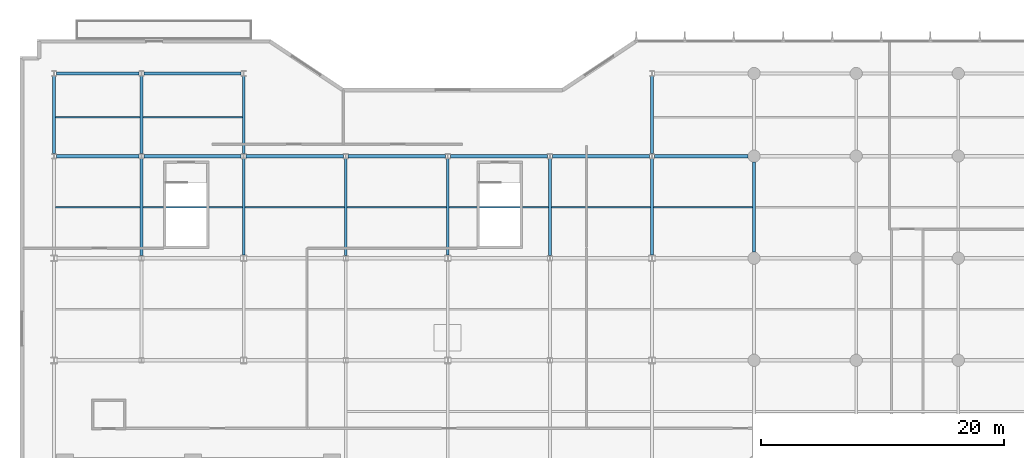
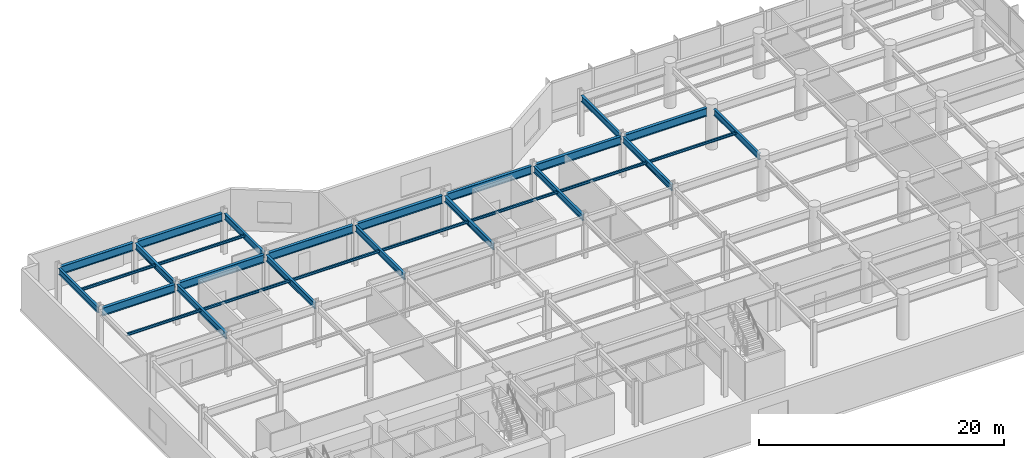
# One storey, part 4 of 23: 29 beams.
"""IFC4 building model written with IfcOpenShell, lengths in metres."""

import ifcopenshell
import ifcopenshell.guid

model = None  # the IFC model being written
_history = None  # IfcOwnerHistory: only IFC2X3 demands one
_inside = {}  # id of a spatial element -> (the spatial element, [elements in it])
_under = {}  # id of a project, library or spatial element -> (it, [spatial elements below it])
_declared = {}  # id of a project -> (the project, [libraries it declares])
_typed = {}  # id of a type object -> (the type object, [elements of that type])
_made_of = {}  # id of a material, layer set ... -> (it, [elements and type objects made of it])


def new_model(schema):
    """Start an empty IFC model of exactly this schema.

    Asked for "IFC4X3", IfcOpenShell would pick the latest addendum, in which some entities
    have other attributes; the version numbers below select the first issue.
    IFC2X3 requires an IfcOwnerHistory on every rooted entity: one is made here for all.
    """
    global model, _history
    if schema == "IFC4X3":
        model = ifcopenshell.file(schema_version=(4, 3, 0, 0))
    else:
        model = ifcopenshell.file(schema=schema)
    _inside.clear()
    _under.clear()
    _declared.clear()
    _typed.clear()
    _made_of.clear()
    _history = None
    if model.schema == "IFC2X3":
        org = make("IfcOrganization", Name="unknown")
        user = make(
            "IfcPersonAndOrganization",
            ThePerson=make("IfcPerson", FamilyName="unknown"),
            TheOrganization=org,
        )
        app = make(
            "IfcApplication",
            ApplicationDeveloper=org,
            Version="unknown",
            ApplicationFullName="unknown",
            ApplicationIdentifier="unknown",
        )
        _history = make(
            "IfcOwnerHistory",
            OwningUser=user,
            OwningApplication=app,
            ChangeAction="ADDED",
            CreationDate=0,
        )
    return model


def make(cls, **values):
    """One entity of the class cls with the attributes given. An attribute that is None is left unset."""
    return model.create_entity(
        cls, **{name: value for name, value in values.items() if value is not None}
    )


def rooted(cls, **values):
    """An entity with a GlobalId (a new one), such as an element, a storey or a relation."""
    return make(cls, GlobalId=ifcopenshell.guid.new(), OwnerHistory=_history, **values)


def si_unit(unit_type, name, prefix=None):
    """IfcSIUnit, for example si_unit("LENGTHUNIT", "METRE", prefix="MILLI")."""
    return make("IfcSIUnit", UnitType=unit_type, Prefix=prefix, Name=name)


def assignment(units):
    """IfcUnitAssignment: the units of a project."""
    return None if units is None else make("IfcUnitAssignment", Units=units)


def point(xyz):
    """IfcCartesianPoint."""
    return None if xyz is None else make("IfcCartesianPoint", Coordinates=xyz)


def direction(xyz):
    """IfcDirection."""
    return None if xyz is None else make("IfcDirection", DirectionRatios=xyz)


def frame(location, z_axis=None, x_axis=None):
    """IfcAxis2Placement3D, a coordinate frame: its origin and axes. An axis left out is left unset."""
    return make(
        "IfcAxis2Placement3D",
        Location=point(location),
        Axis=direction(z_axis),
        RefDirection=direction(x_axis),
    )


def frame_2d(location, x_axis=None):
    """IfcAxis2Placement2D, a coordinate frame in the plane: its origin and x axis."""
    return make(
        "IfcAxis2Placement2D", Location=point(location), RefDirection=direction(x_axis)
    )


def origin():
    """The frame at (0, 0, 0) with its axes left unset."""
    return frame((0.0, 0.0, 0.0))


def origin_2d():
    """The frame at (0, 0) in the plane with its x axis left unset."""
    return frame_2d((0.0, 0.0))


def place(relative_to, where):
    """IfcLocalPlacement: puts the frame where relative to a parent placement (None: the world)."""
    return make(
        "IfcLocalPlacement", PlacementRelTo=relative_to, RelativePlacement=where
    )


def context(
    kind, dimensions, precision=None, world=None, true_north=None, identifier=None
):
    """IfcGeometricRepresentationContext, for example the 3D "Model" context."""
    return make(
        "IfcGeometricRepresentationContext",
        ContextIdentifier=identifier,
        ContextType=kind,
        CoordinateSpaceDimension=dimensions,
        Precision=precision,
        WorldCoordinateSystem=world,
        TrueNorth=true_north,
    )


def subcontext(parent, identifier, kind, view, scale=None):
    """IfcGeometricRepresentationSubContext, for example "Body" below "Model"."""
    return make(
        "IfcGeometricRepresentationSubContext",
        ContextIdentifier=identifier,
        ContextType=kind,
        ParentContext=parent,
        TargetScale=scale,
        TargetView=view,
    )


def project(units=None, contexts=None):
    """IfcProject with its units and contexts."""
    return rooted(
        "IfcProject",
        Name="project",
        RepresentationContexts=contexts,
        UnitsInContext=assignment(units),
    )


def spatial(cls, under=None, at=None, **own):
    """A site, building, storey or space (cls), placed at a placement, below another one or the project."""
    s = rooted(cls, ObjectPlacement=at, **own)
    if under is not None:
        _under.setdefault(under.id(), (under, []))[1].append(s)
    return s


def profile(cls, at=None, kind="AREA", **sizes):
    """A parametric profile (cls). Its sizes go by their IFC names, for example OverallWidth=200.0."""
    return make(cls, ProfileType=kind, Position=at, **sizes)


def i_section(**sizes):
    """IfcIShapeProfileDef."""
    return profile("IfcIShapeProfileDef", **sizes)


def extrude(swept, where, along, depth):
    """IfcExtrudedAreaSolid: the profile swept, set in the frame where, extruded along a direction by depth."""
    return make(
        "IfcExtrudedAreaSolid",
        SweptArea=swept,
        Position=where,
        ExtrudedDirection=direction(along),
        Depth=depth,
    )


def shape(context_of_items, identifier, shape_type, items):
    """IfcShapeRepresentation: the items that make up one representation, for example the "Body"."""
    return make(
        "IfcShapeRepresentation",
        ContextOfItems=context_of_items,
        RepresentationIdentifier=identifier,
        RepresentationType=shape_type,
        Items=items,
    )


def material(Name=None, Category=None):
    """IfcMaterial."""
    return make("IfcMaterial", Name=Name, Category=Category)


def material_profile(
    of_material, cross_section, Name=None, Category=None, Priority=None
):
    """IfcMaterialProfile: a cross section and its material."""
    return make(
        "IfcMaterialProfile",
        Name=Name,
        Material=of_material,
        Profile=cross_section,
        Priority=Priority,
        Category=Category,
    )


def profile_set(profiles, Name=None, composite=None):
    """IfcMaterialProfileSet."""
    return make(
        "IfcMaterialProfileSet",
        Name=Name,
        MaterialProfiles=profiles,
        CompositeProfile=composite,
    )


def made_of(thing, what):
    """Note that an element or type object is made of a material, layer set ...; save() writes the relation."""
    if what is not None:
        _made_of.setdefault(what.id(), (what, []))[1].append(thing)
    return thing


def type_object(cls, material=None, **own):
    """A type object (cls), such as IfcWallType, which elements share."""
    return made_of(rooted(cls, **own), material)


def element(
    cls,
    number,
    at=None,
    inside=None,
    cuts=None,
    type_object=None,
    material=None,
    context=None,
    identifier="Body",
    shape_type=None,
    held_by="IfcProductDefinitionShape",
    body=None,
    shapes=None,
    **own,
):
    """One element of the class cls, such as IfcWall. Its Tag is "e" and its number.

    at: its placement. inside: the storey or other place that contains it. cuts: it is an
    opening in that element (IfcRelVoidsElement). A single representation is given by context,
    identifier, shape_type and body (its items); several are given by shapes. held_by: the class
    of the entity that holds the representations. save() writes the other relations.
    """
    e = rooted(cls, Tag="e%d" % number, ObjectPlacement=at, **own)
    if body is not None:
        shapes = [shape(context, identifier, shape_type, body)]
    if shapes is not None:
        e.Representation = make(held_by, Representations=shapes)
    if inside is not None:
        _inside.setdefault(inside.id(), (inside, []))[1].append(e)
    if cuts is not None:
        rooted(
            "IfcRelVoidsElement", RelatingBuildingElement=cuts, RelatedOpeningElement=e
        )
    if type_object is not None:
        _typed.setdefault(type_object.id(), (type_object, []))[1].append(e)
    return made_of(e, material)


def aggregate(whole, parts):
    """IfcRelAggregates: a whole, such as a stair, and the parts it consists of."""
    return rooted("IfcRelAggregates", RelatingObject=whole, RelatedObjects=parts)


def save(model, path):
    """Write the relations noted so far, then the file.

    IfcRelAggregates (storeys below a building ...), IfcRelContainedInSpatialStructure (elements
    in a storey), IfcRelDefinesByType, IfcRelAssociatesMaterial and IfcRelDeclares: one each for
    every whole, place, type object, material and project.
    """
    for whole, parts in _under.values():
        aggregate(whole, parts)
    for where, things in _inside.values():
        rooted(
            "IfcRelContainedInSpatialStructure",
            RelatedElements=things,
            RelatingStructure=where,
        )
    for kind, things in _typed.values():
        rooted("IfcRelDefinesByType", RelatedObjects=things, RelatingType=kind)
    for what, things in _made_of.values():
        rooted("IfcRelAssociatesMaterial", RelatedObjects=things, RelatingMaterial=what)
    for by, libraries in _declared.values():
        rooted("IfcRelDeclares", RelatingContext=by, RelatedDefinitions=libraries)
    model.write(path)


model = new_model("IFC4")

# Units and contexts
model_context = context("Model", 3, precision=1e-05, world=origin(), true_north=direction((0.0, 1.0)))
body_context = subcontext(model_context, "Body", "Model", "MODEL_VIEW")
ifc_project = project(units=[si_unit("LENGTHUNIT", "METRE"), si_unit("AREAUNIT", "SQUARE_METRE"), si_unit("VOLUMEUNIT", "CUBIC_METRE"), si_unit("PLANEANGLEUNIT", "RADIAN"), si_unit("MASSUNIT", "GRAM", prefix="KILO")], contexts=[model_context])

# Site, building, storey
site_placement = place(None, origin())
site = spatial("IfcSite", under=ifc_project, at=site_placement, CompositionType="ELEMENT")
building_placement = place(site_placement, origin())
building = spatial("IfcBuilding", under=site, at=building_placement, Name="Varnakote Quay Hospital", CompositionType="ELEMENT")
storey_placement = place(building_placement, frame((0.0, 0.0, 18.0)))
storey = spatial("IfcBuildingStorey", under=building, at=storey_placement, Name="L04", CompositionType="ELEMENT", Elevation=18.0)

# Beams
ifc_material_1 = material(Name="Structural steel AS/NZS 3679.1 Grade 350 L0 (fy 340 MPa)", Category="steel")
ifc_material_profile_1 = material_profile(ifc_material_1, i_section(OverallWidth=0.22802734375, OverallDepth=0.60205078125, WebThickness=0.010498046875, FlangeThickness=0.014892578125, FilletRadius=0.013916015625, at=origin_2d()), Name="610UB101")
ifc_profile_set_1 = profile_set([ifc_material_profile_1], Name="Structural steel AS/NZS 3679.1 Grade 350 L0 (fy 340 MPa)")
beam_type_1 = type_object("IfcBeamType", Name="BM-STL-610UB101", PredefinedType="BEAM", material=ifc_profile_set_1)
beam_1_placement = place(storey_placement, frame((1.199951171875, 37.409912109375, 3.779052734375), z_axis=(0.0, 1.0, 0.0), x_axis=(-1.0, 0.0, 0.0)))
element("IfcBeam", 1, at=beam_1_placement, inside=storey, type_object=beam_type_1, Name="L04 Primary Tie Beam", PredefinedType="BEAM", context=body_context, shape_type="SweptSolid", body=[
    extrude(i_section(OverallWidth=0.22802734375, OverallDepth=0.60205078125, WebThickness=0.010498046875, FlangeThickness=0.014892578125, FilletRadius=0.013916015625, at=origin_2d()), origin(), (0.0, 0.0, 1.0), 6.380126953125),
])
beam_2_placement = place(storey_placement, frame((8.39990234375, 29.010009765625, 3.779052734375), z_axis=(0.0, 1.0, 0.0), x_axis=(-1.0, 0.0, 0.0)))
element("IfcBeam", 2, at=beam_2_placement, inside=storey, type_object=beam_type_1, Name="L04 Primary Tie Beam", PredefinedType="BEAM", context=body_context, shape_type="SweptSolid", body=[
    extrude(i_section(OverallWidth=0.22802734375, OverallDepth=0.60205078125, WebThickness=0.010498046875, FlangeThickness=0.014892578125, FilletRadius=0.013916015625, at=origin_2d()), origin(), (0.0, 0.0, 1.0), 7.97998046875),
])
beam_3_placement = place(storey_placement, frame((8.39990234375, 37.409912109375, 3.779052734375), z_axis=(0.0, 1.0, 0.0), x_axis=(-1.0, 0.0, 0.0)))
element("IfcBeam", 3, at=beam_3_placement, inside=storey, type_object=beam_type_1, Name="L04 Primary Tie Beam", PredefinedType="BEAM", context=body_context, shape_type="SweptSolid", body=[
    extrude(i_section(OverallWidth=0.22802734375, OverallDepth=0.60205078125, WebThickness=0.010498046875, FlangeThickness=0.014892578125, FilletRadius=0.013916015625, at=origin_2d()), origin(), (0.0, 0.0, 1.0), 6.380126953125),
])
beam_4_placement = place(storey_placement, frame((16.800048828125, 29.06494140625, 3.779052734375), z_axis=(0.0, 1.0, 0.0), x_axis=(-1.0, 0.0, 0.0)))
element("IfcBeam", 4, at=beam_4_placement, inside=storey, type_object=beam_type_1, Name="L04 Primary Tie Beam", PredefinedType="BEAM", context=body_context, shape_type="SweptSolid", body=[
    extrude(i_section(OverallWidth=0.22802734375, OverallDepth=0.60205078125, WebThickness=0.010498046875, FlangeThickness=0.014892578125, FilletRadius=0.013916015625, at=origin_2d()), origin(), (0.0, 0.0, 1.0), 7.925048828125),
])
beam_5_placement = place(storey_placement, frame((16.800048828125, 37.409912109375, 3.779052734375), z_axis=(0.0, 1.0, 0.0), x_axis=(-1.0, 0.0, 0.0)))
element("IfcBeam", 5, at=beam_5_placement, inside=storey, type_object=beam_type_1, Name="L04 Primary Tie Beam", PredefinedType="BEAM", context=body_context, shape_type="SweptSolid", body=[
    extrude(i_section(OverallWidth=0.22802734375, OverallDepth=0.60205078125, WebThickness=0.010498046875, FlangeThickness=0.014892578125, FilletRadius=0.013916015625, at=origin_2d()), origin(), (0.0, 0.0, 1.0), 6.380126953125),
])
beam_6_placement = place(storey_placement, frame((25.199951171875, 29.010009765625, 3.779052734375), z_axis=(0.0, 1.0, 0.0), x_axis=(-1.0, 0.0, 0.0)))
element("IfcBeam", 6, at=beam_6_placement, inside=storey, type_object=beam_type_1, Name="L04 Primary Tie Beam", PredefinedType="BEAM", context=body_context, shape_type="SweptSolid", body=[
    extrude(i_section(OverallWidth=0.22802734375, OverallDepth=0.60205078125, WebThickness=0.010498046875, FlangeThickness=0.014892578125, FilletRadius=0.013916015625, at=origin_2d()), origin(), (0.0, 0.0, 1.0), 7.97998046875),
])
beam_7_placement = place(storey_placement, frame((33.60009765625, 29.06494140625, 3.779052734375), z_axis=(0.0, 1.0, 0.0), x_axis=(-1.0, 0.0, 0.0)))
element("IfcBeam", 7, at=beam_7_placement, inside=storey, type_object=beam_type_1, Name="L04 Primary Tie Beam", PredefinedType="BEAM", context=body_context, shape_type="SweptSolid", body=[
    extrude(i_section(OverallWidth=0.22802734375, OverallDepth=0.60205078125, WebThickness=0.010498046875, FlangeThickness=0.014892578125, FilletRadius=0.013916015625, at=origin_2d()), origin(), (0.0, 0.0, 1.0), 7.925048828125),
])
beam_8_placement = place(storey_placement, frame((42.0, 29.010009765625, 3.779052734375), z_axis=(0.0, 1.0, 0.0), x_axis=(-1.0, 0.0, 0.0)))
element("IfcBeam", 8, at=beam_8_placement, inside=storey, type_object=beam_type_1, Name="L04 Primary Tie Beam", PredefinedType="BEAM", context=body_context, shape_type="SweptSolid", body=[
    extrude(i_section(OverallWidth=0.22802734375, OverallDepth=0.60205078125, WebThickness=0.010498046875, FlangeThickness=0.014892578125, FilletRadius=0.013916015625, at=origin_2d()), origin(), (0.0, 0.0, 1.0), 7.97998046875),
])
beam_9_placement = place(storey_placement, frame((50.39990234375, 29.06494140625, 3.779052734375), z_axis=(0.0, 1.0, 0.0), x_axis=(-1.0, 0.0, 0.0)))
element("IfcBeam", 9, at=beam_9_placement, inside=storey, type_object=beam_type_1, Name="L04 Primary Tie Beam", PredefinedType="BEAM", context=body_context, shape_type="SweptSolid", body=[
    extrude(i_section(OverallWidth=0.22802734375, OverallDepth=0.60205078125, WebThickness=0.010498046875, FlangeThickness=0.014892578125, FilletRadius=0.013916015625, at=origin_2d()), origin(), (0.0, 0.0, 1.0), 7.925048828125),
])
beam_10_placement = place(storey_placement, frame((50.39990234375, 37.409912109375, 3.779052734375), z_axis=(0.0, 1.0, 0.0), x_axis=(-1.0, 0.0, 0.0)))
element("IfcBeam", 10, at=beam_10_placement, inside=storey, type_object=beam_type_1, Name="L04 Primary Tie Beam", PredefinedType="BEAM", context=body_context, shape_type="SweptSolid", body=[
    extrude(i_section(OverallWidth=0.22802734375, OverallDepth=0.60205078125, WebThickness=0.010498046875, FlangeThickness=0.014892578125, FilletRadius=0.013916015625, at=origin_2d()), origin(), (0.0, 0.0, 1.0), 6.380126953125),
])
beam_11_placement = place(storey_placement, frame((58.800048828125, 29.300048828125, 3.779052734375), z_axis=(0.0, 1.0, 0.0), x_axis=(-1.0, 0.0, 0.0)))
element("IfcBeam", 11, at=beam_11_placement, inside=storey, type_object=beam_type_1, Name="L04 Primary Tie Beam", PredefinedType="BEAM", context=body_context, shape_type="SweptSolid", body=[
    extrude(i_section(OverallWidth=0.22802734375, OverallDepth=0.60205078125, WebThickness=0.010498046875, FlangeThickness=0.014892578125, FilletRadius=0.013916015625, at=origin_2d()), origin(), (0.0, 0.0, 1.0), 7.39990234375),
])
ifc_material_2 = material(Name="Structural steel AS/NZS 3678 Grade 350 (fy 340 MPa)", Category="steel")
ifc_material_profile_2 = material_profile(ifc_material_2, i_section(OverallWidth=0.27490234375, OverallDepth=0.800048828125, WebThickness=0.010009765625, FlangeThickness=0.02001953125, at=origin_2d()), Name="800WB146")
ifc_profile_set_2 = profile_set([ifc_material_profile_2], Name="Structural steel AS/NZS 3678 Grade 350 (fy 340 MPa)")
beam_type_2 = type_object("IfcBeamType", Name="BM-STL-800WB146", PredefinedType="BEAM", material=ifc_profile_set_2)
beam_12_placement = place(storey_placement, frame((1.39990234375, 37.199951171875, 3.679931640625), z_axis=(1.0, 0.0, 0.0), x_axis=(0.0, 1.0, 0.0)))
element("IfcBeam", 12, at=beam_12_placement, inside=storey, type_object=beam_type_2, Name="L04 Plated Composite Transfer Beam", PredefinedType="BEAM", context=body_context, shape_type="SweptSolid", body=[
    extrude(i_section(OverallWidth=0.27490234375, OverallDepth=0.800048828125, WebThickness=0.010009765625, FlangeThickness=0.02001953125, at=origin_2d()), origin(), (0.0, 0.0, 1.0), 6.800048828125),
])
for number, where, z_axis, x_axis, name in (
    (13, (8.60009765625, 37.199951171875, 3.679931640625), (1.0, 0.0, 0.0), (0.0, 1.0, 0.0), "L04 Plated Composite Transfer Beam"),
    (14, (17.0, 37.199951171875, 3.679931640625), (1.0, 0.0, 0.0), (0.0, 1.0, 0.0), "L04 Plated Composite Transfer Beam"),
    (15, (25.39990234375, 37.199951171875, 3.679931640625), (1.0, 0.0, 0.0), (0.0, 1.0, 0.0), "L04 Plated Composite Transfer Beam"),
    (16, (33.800048828125, 37.199951171875, 3.679931640625), (1.0, 0.0, 0.0), (0.0, 1.0, 0.0), "L04 Plated Composite Transfer Beam"),
    (17, (42.199951171875, 37.199951171875, 3.679931640625), (1.0, 0.0, 0.0), (0.0, 1.0, 0.0), "L04 Plated Composite Transfer Beam"),
):
    element("IfcBeam", number, at=place(storey_placement, frame(where, z_axis=z_axis, x_axis=x_axis)), inside=storey, type_object=beam_type_2, Name=name, PredefinedType="BEAM", context=body_context, shape_type="SweptSolid", body=[
        extrude(i_section(OverallWidth=0.27490234375, OverallDepth=0.800048828125, WebThickness=0.010009765625, FlangeThickness=0.02001953125, at=origin_2d()), origin(), (0.0, 0.0, 1.0), 8.0),
    ])
beam_13_placement = place(storey_placement, frame((50.60009765625, 37.199951171875, 3.679931640625), z_axis=(1.0, 0.0, 0.0), x_axis=(0.0, 1.0, 0.0)))
element("IfcBeam", 18, at=beam_13_placement, inside=storey, type_object=beam_type_2, Name="L04 Plated Composite Transfer Beam", PredefinedType="BEAM", context=body_context, shape_type="SweptSolid", body=[
    extrude(i_section(OverallWidth=0.27490234375, OverallDepth=0.800048828125, WebThickness=0.010009765625, FlangeThickness=0.02001953125, at=origin_2d()), origin(), (0.0, 0.0, 1.0), 7.699951171875),
])
beam_14_placement = place(storey_placement, frame((1.39990234375, 44.0, 3.679931640625), z_axis=(1.0, 0.0, 0.0), x_axis=(0.0, 1.0, 0.0)))
element("IfcBeam", 19, at=beam_14_placement, inside=storey, type_object=beam_type_2, Name="L04 Plated Composite Transfer Beam", PredefinedType="BEAM", context=body_context, shape_type="SweptSolid", body=[
    extrude(i_section(OverallWidth=0.27490234375, OverallDepth=0.800048828125, WebThickness=0.010009765625, FlangeThickness=0.02001953125, at=origin_2d()), origin(), (0.0, 0.0, 1.0), 6.800048828125),
])
beam_15_placement = place(storey_placement, frame((8.60009765625, 44.0, 3.679931640625), z_axis=(1.0, 0.0, 0.0), x_axis=(0.0, 1.0, 0.0)))
element("IfcBeam", 20, at=beam_15_placement, inside=storey, type_object=beam_type_2, Name="L04 Plated Composite Transfer Beam", PredefinedType="BEAM", context=body_context, shape_type="SweptSolid", body=[
    extrude(i_section(OverallWidth=0.27490234375, OverallDepth=0.800048828125, WebThickness=0.010009765625, FlangeThickness=0.02001953125, at=origin_2d()), origin(), (0.0, 0.0, 1.0), 8.0),
])
ifc_material_3 = material(Name="Structural steel AS/NZS 3679.1 Grade 350 L0 (fy 340 MPa)", Category="steel")
ifc_material_profile_3 = material_profile(ifc_material_3, i_section(OverallWidth=0.14599609375, OverallDepth=0.256103515625, WebThickness=0.00634765625, FlangeThickness=0.010986328125, FilletRadius=0.0087890625, at=origin_2d()), Name="250UB37.3")
ifc_profile_set_3 = profile_set([ifc_material_profile_3], Name="Structural steel AS/NZS 3679.1 Grade 350 L0 (fy 340 MPa)")
beam_type_3 = type_object("IfcBeamType", Name="JST-STL-250UB37-3", PredefinedType="JOIST", material=ifc_profile_set_3)
beam_16_placement = place(storey_placement, frame((1.31396484375, 33.0, 3.951904296875), z_axis=(1.0, 0.0, 0.0), x_axis=(0.0, 1.0, 0.0)))
element("IfcBeam", 21, at=beam_16_placement, inside=storey, type_object=beam_type_3, Name="L04 Composite Floor Joist", PredefinedType="JOIST", context=body_context, shape_type="SweptSolid", body=[
    extrude(i_section(OverallWidth=0.14599609375, OverallDepth=0.256103515625, WebThickness=0.00634765625, FlangeThickness=0.010986328125, FilletRadius=0.0087890625, at=origin_2d()), origin(), (0.0, 0.0, 1.0), 6.971923828125),
])
beam_17_placement = place(storey_placement, frame((8.513916015625, 33.0, 3.951904296875), z_axis=(1.0, 0.0, 0.0), x_axis=(0.0, 1.0, 0.0)))
element("IfcBeam", 22, at=beam_17_placement, inside=storey, type_object=beam_type_3, Name="L04 Composite Floor Joist", PredefinedType="JOIST", context=body_context, shape_type="SweptSolid", body=[
    extrude(i_section(OverallWidth=0.14599609375, OverallDepth=0.256103515625, WebThickness=0.00634765625, FlangeThickness=0.010986328125, FilletRadius=0.0087890625, at=origin_2d()), origin(), (0.0, 0.0, 1.0), 8.172119140625),
])
beam_18_placement = place(storey_placement, frame((16.9140625, 33.0, 3.951904296875), z_axis=(1.0, 0.0, 0.0), x_axis=(0.0, 1.0, 0.0)))
element("IfcBeam", 23, at=beam_18_placement, inside=storey, type_object=beam_type_3, Name="L04 Composite Floor Joist", PredefinedType="JOIST", context=body_context, shape_type="SweptSolid", body=[
    extrude(i_section(OverallWidth=0.14599609375, OverallDepth=0.256103515625, WebThickness=0.00634765625, FlangeThickness=0.010986328125, FilletRadius=0.0087890625, at=origin_2d()), origin(), (0.0, 0.0, 1.0), 8.171875),
])
beam_19_placement = place(storey_placement, frame((25.31396484375, 33.0, 3.951904296875), z_axis=(1.0, 0.0, 0.0), x_axis=(0.0, 1.0, 0.0)))
element("IfcBeam", 24, at=beam_19_placement, inside=storey, type_object=beam_type_3, Name="L04 Composite Floor Joist", PredefinedType="JOIST", context=body_context, shape_type="SweptSolid", body=[
    extrude(i_section(OverallWidth=0.14599609375, OverallDepth=0.256103515625, WebThickness=0.00634765625, FlangeThickness=0.010986328125, FilletRadius=0.0087890625, at=origin_2d()), origin(), (0.0, 0.0, 1.0), 8.172119140625),
])
for number, where, z_axis, x_axis, name in (
    (25, (33.714111328125, 33.0, 3.951904296875), (1.0, 0.0, 0.0), (0.0, 1.0, 0.0), "L04 Composite Floor Joist"),
    (26, (42.114013671875, 33.0, 3.951904296875), (1.0, 0.0, 0.0), (0.0, 1.0, 0.0), "L04 Composite Floor Joist"),
):
    element("IfcBeam", number, at=place(storey_placement, frame(where, z_axis=z_axis, x_axis=x_axis)), inside=storey, type_object=beam_type_3, Name=name, PredefinedType="JOIST", context=body_context, shape_type="SweptSolid", body=[
        extrude(i_section(OverallWidth=0.14599609375, OverallDepth=0.256103515625, WebThickness=0.00634765625, FlangeThickness=0.010986328125, FilletRadius=0.0087890625, at=origin_2d()), origin(), (0.0, 0.0, 1.0), 8.171875),
    ])
beam_20_placement = place(storey_placement, frame((50.513916015625, 33.0, 3.951904296875), z_axis=(1.0, 0.0, 0.0), x_axis=(0.0, 1.0, 0.0)))
element("IfcBeam", 27, at=beam_20_placement, inside=storey, type_object=beam_type_3, Name="L04 Composite Floor Joist", PredefinedType="JOIST", context=body_context, shape_type="SweptSolid", body=[
    extrude(i_section(OverallWidth=0.14599609375, OverallDepth=0.256103515625, WebThickness=0.00634765625, FlangeThickness=0.010986328125, FilletRadius=0.0087890625, at=origin_2d()), origin(), (0.0, 0.0, 1.0), 8.172119140625),
])
beam_21_placement = place(storey_placement, frame((1.31396484375, 40.39990234375, 3.951904296875), z_axis=(1.0, 0.0, 0.0), x_axis=(0.0, 1.0, 0.0)))
element("IfcBeam", 28, at=beam_21_placement, inside=storey, type_object=beam_type_3, Name="L04 Composite Floor Joist", PredefinedType="JOIST", context=body_context, shape_type="SweptSolid", body=[
    extrude(i_section(OverallWidth=0.14599609375, OverallDepth=0.256103515625, WebThickness=0.00634765625, FlangeThickness=0.010986328125, FilletRadius=0.0087890625, at=origin_2d()), origin(), (0.0, 0.0, 1.0), 6.971923828125),
])
beam_22_placement = place(storey_placement, frame((8.513916015625, 40.39990234375, 3.951904296875), z_axis=(1.0, 0.0, 0.0), x_axis=(0.0, 1.0, 0.0)))
element("IfcBeam", 29, at=beam_22_placement, inside=storey, type_object=beam_type_3, Name="L04 Composite Floor Joist", PredefinedType="JOIST", context=body_context, shape_type="SweptSolid", body=[
    extrude(i_section(OverallWidth=0.14599609375, OverallDepth=0.256103515625, WebThickness=0.00634765625, FlangeThickness=0.010986328125, FilletRadius=0.0087890625, at=origin_2d()), origin(), (0.0, 0.0, 1.0), 8.172119140625),
])

save(model, "model.ifc")
